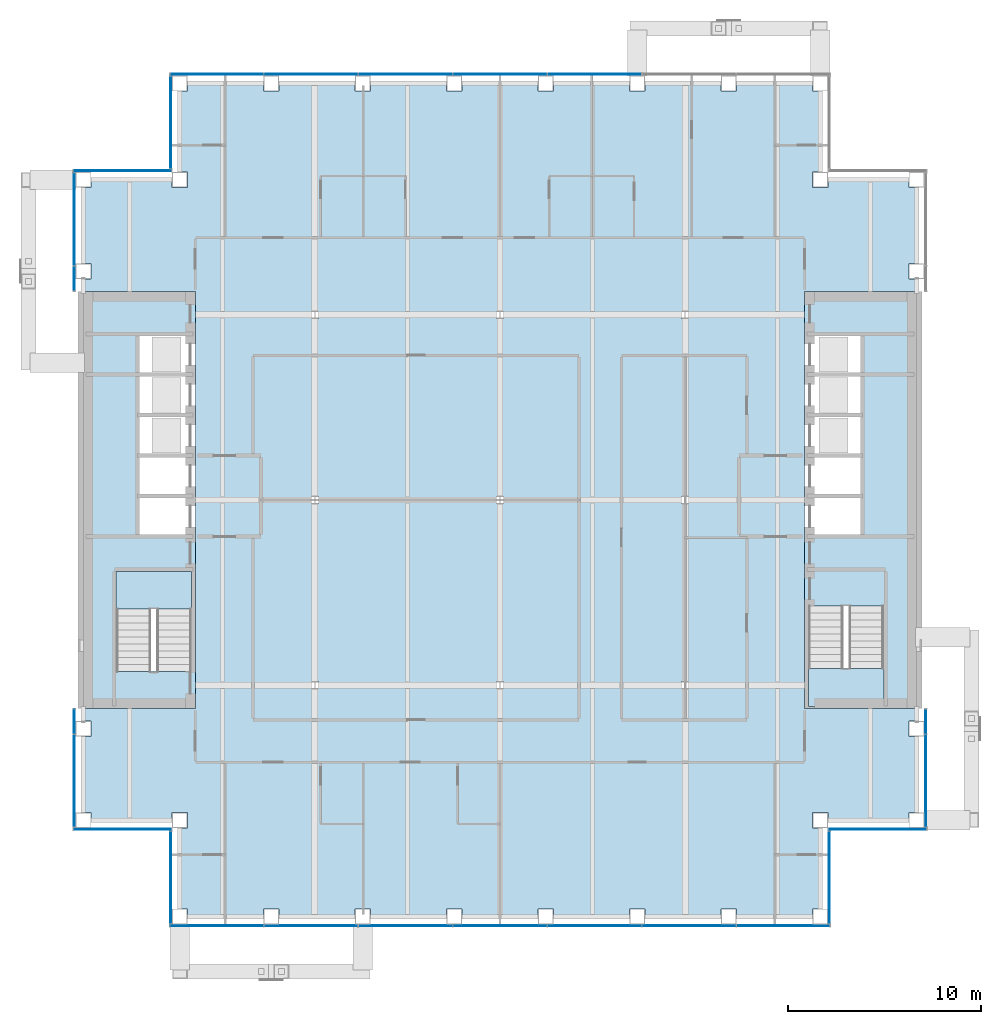
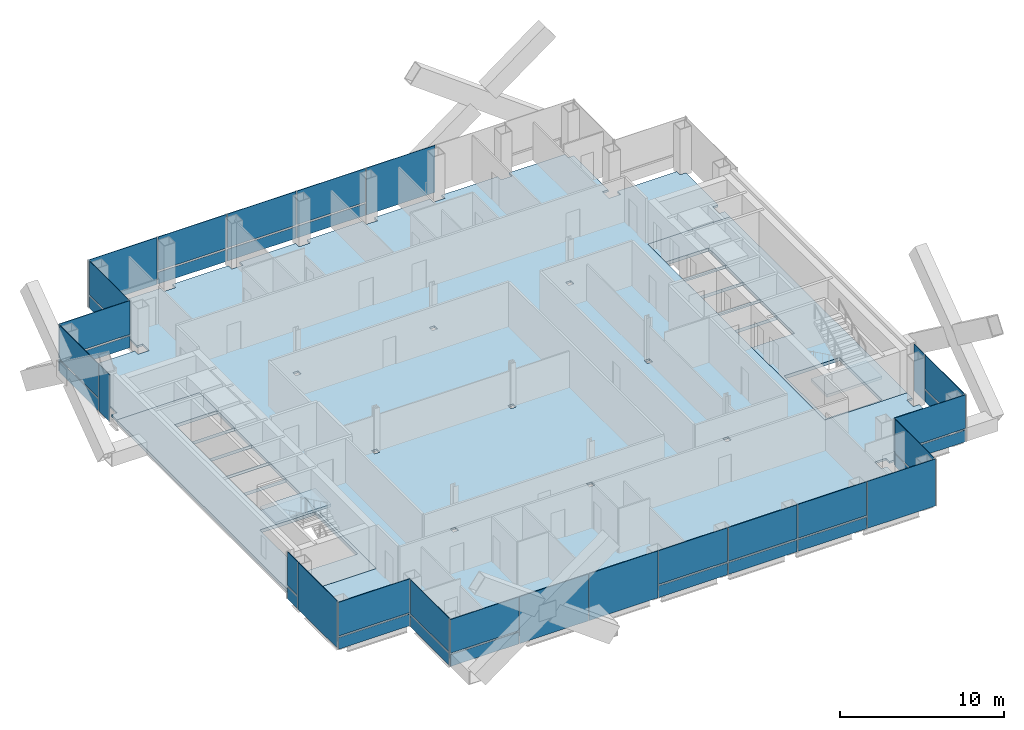
# One storey, part 8 of 14: 40 plates, 5 slabs, 13 elements without a shape of their own.
"""IFC4 building model written with IfcOpenShell, lengths in metres."""

from ifc_helpers import new_model, si_unit, direction, frame, origin, origin_2d, place, context, subcontext, project, spatial, polyline, rectangle, outline, extrude, material, layer, layer_set, type_object, element, aggregate, save


model = new_model("IFC4")

# Units and contexts
model_context = context("Model", 3, precision=1e-05, world=origin(), true_north=direction((0.0, 1.0)))
body_context = subcontext(model_context, "Body", "Model", "MODEL_VIEW")
ifc_project = project(units=[si_unit("LENGTHUNIT", "METRE"), si_unit("AREAUNIT", "SQUARE_METRE"), si_unit("VOLUMEUNIT", "CUBIC_METRE"), si_unit("PLANEANGLEUNIT", "RADIAN"), si_unit("MASSUNIT", "GRAM", prefix="KILO")], contexts=[model_context])

# Site, building, storey
site_placement = place(None, origin())
site = spatial("IfcSite", under=ifc_project, at=site_placement, CompositionType="ELEMENT")
building_placement = place(site_placement, origin())
building = spatial("IfcBuilding", under=site, at=building_placement, Name="Cobrizo Arcos Hotel Tower", CompositionType="ELEMENT")
storey_placement = place(building_placement, frame((0.0, 0.0, 179.5)))
storey = spatial("IfcBuildingStorey", under=building, at=storey_placement, Name="L46", CompositionType="ELEMENT", Elevation=179.5)

# Curtain wall, plates
ifc_material_1 = material(Name="Aluminium 6063-T6 anodised bronze", Category="aluminium")
curtain_wall_type = type_object("IfcCurtainWallType", Name="CW-A guest facade", PredefinedType="NOTDEFINED", material=ifc_material_1)
curtain_wall_1_placement = place(storey_placement, origin())
curtain_wall_1 = element("IfcCurtainWall", 1, at=curtain_wall_1_placement, inside=storey, type_object=curtain_wall_type, Name="CW-A L46 S face", PredefinedType="NOTDEFINED")
ifc_material_2 = material(Name="Glass clear laminated low-e", Category="glass")
ifc_layer_1 = layer(ifc_material_2, 0.0400390625)
ifc_layer_set_1 = layer_set([ifc_layer_1], Name="CW-A glass panel")
plate_type_1 = type_object("IfcPlateType", Name="CW-A glass panel", PredefinedType="CURTAIN_PANEL", material=ifc_layer_set_1)
plate_1_placement = place(storey_placement, frame((-14.68505859375, -22.074951171875, 0.990234375), z_axis=(0.0, 0.0, 1.0), x_axis=(1.0, 0.0, 0.0)))
plate_1 = element("IfcPlate", 2, at=plate_1_placement, type_object=plate_type_1, Name="CW-A glass panel 1606", PredefinedType="CURTAIN_PANEL", context=body_context, shape_type="SweptSolid", body=[
    extrude(rectangle(XDim=4.81005859375, YDim=0.0400390625, at=origin_2d()), origin(), (0.0, 0.0, 1.0), 2.510009765625),
])
plate_2_placement = place(storey_placement, frame((0.0, -22.074951171875, 0.990234375), z_axis=(0.0, 0.0, 1.0), x_axis=(1.0, 0.0, 0.0)))
plate_2 = element("IfcPlate", 3, at=plate_2_placement, type_object=plate_type_1, Name="CW-A glass panel 1609", PredefinedType="CURTAIN_PANEL", context=body_context, shape_type="SweptSolid", body=[
    extrude(rectangle(XDim=4.840087890625, YDim=0.0400390625, at=origin_2d()), origin(), (0.0, 0.0, 1.0), 2.510009765625),
])
plate_3_placement = place(storey_placement, frame((4.89990234375, -22.074951171875, 0.990234375), z_axis=(0.0, 0.0, 1.0), x_axis=(1.0, 0.0, 0.0)))
plate_3 = element("IfcPlate", 4, at=plate_3_placement, type_object=plate_type_1, Name="CW-A glass panel 1610", PredefinedType="CURTAIN_PANEL", context=body_context, shape_type="SweptSolid", body=[
    extrude(rectangle(XDim=4.840087890625, YDim=0.0400390625, at=origin_2d()), origin(), (0.0, 0.0, 1.0), 2.510009765625),
])
plate_4_placement = place(storey_placement, frame((9.800048828125, -22.074951171875, 0.990234375), z_axis=(0.0, 0.0, 1.0), x_axis=(1.0, 0.0, 0.0)))
plate_4 = element("IfcPlate", 5, at=plate_4_placement, type_object=plate_type_1, Name="CW-A glass panel 1611", PredefinedType="CURTAIN_PANEL", context=body_context, shape_type="SweptSolid", body=[
    extrude(rectangle(XDim=4.840087890625, YDim=0.0400390625, at=origin_2d()), origin(), (0.0, 0.0, 1.0), 2.510009765625),
])

# Curtain wall, plate
curtain_wall_2_placement = place(storey_placement, origin())
curtain_wall_2 = element("IfcCurtainWall", 6, at=curtain_wall_2_placement, inside=storey, type_object=curtain_wall_type, Name="CW-A L46 E face", PredefinedType="NOTDEFINED")
plate_5_placement = place(storey_placement, frame((17.074951171875, -19.574951171875, 0.990234375), z_axis=(0.0, 0.0, 1.0), x_axis=(0.0, 1.0, 0.0)))
plate_5 = element("IfcPlate", 7, at=plate_5_placement, type_object=plate_type_1, Name="CW-A glass panel 1613", PredefinedType="CURTAIN_PANEL", context=body_context, shape_type="SweptSolid", body=[
    extrude(rectangle(XDim=4.72998046875, YDim=0.0400390625, at=origin_2d()), origin(), (0.0, 0.0, 1.0), 2.510009765625),
])

curtain_wall_3_placement = place(storey_placement, origin())
curtain_wall_3 = element("IfcCurtainWall", 8, at=curtain_wall_3_placement, inside=storey, type_object=curtain_wall_type, Name="CW-A L46 S face", PredefinedType="NOTDEFINED")
plate_6_placement = place(storey_placement, frame((19.574951171875, -17.074951171875, 0.990234375), z_axis=(0.0, 0.0, 1.0), x_axis=(1.0, 0.0, 0.0)))
plate_6 = element("IfcPlate", 9, at=plate_6_placement, type_object=plate_type_1, Name="CW-A glass panel 1614", PredefinedType="CURTAIN_PANEL", context=body_context, shape_type="SweptSolid", body=[
    extrude(rectangle(XDim=5.030029296875, YDim=0.0400390625, at=origin_2d()), origin(), (0.0, 0.0, 1.0), 2.510009765625),
])

curtain_wall_4_placement = place(storey_placement, origin())
curtain_wall_4 = element("IfcCurtainWall", 10, at=curtain_wall_4_placement, inside=storey, type_object=curtain_wall_type, Name="CW-A L46 E face", PredefinedType="NOTDEFINED")
plate_7_placement = place(storey_placement, frame((22.074951171875, -14.556396484375, 0.990234375), z_axis=(0.0, 0.0, 1.0), x_axis=(0.0, 1.0, 0.0)))
plate_7 = element("IfcPlate", 11, at=plate_7_placement, type_object=plate_type_1, Name="CW-A glass panel 1615", PredefinedType="CURTAIN_PANEL", context=body_context, shape_type="SweptSolid", body=[
    extrude(rectangle(XDim=4.76708984375, YDim=0.0400390625, at=origin_2d()), origin(), (0.0, 0.0, 1.0), 2.510009765625),
])

# Curtain wall, plates
curtain_wall_5_placement = place(storey_placement, origin())
curtain_wall_5 = element("IfcCurtainWall", 12, at=curtain_wall_5_placement, inside=storey, type_object=curtain_wall_type, Name="CW-A L46 N face", PredefinedType="NOTDEFINED")
plate_8_placement = place(storey_placement, frame((0.0, 22.074951171875, 0.990234375), z_axis=(0.0, 0.0, 1.0), x_axis=(-1.0, 0.0, 0.0)))
plate_8 = element("IfcPlate", 13, at=plate_8_placement, type_object=plate_type_1, Name="CW-A glass panel 1624", PredefinedType="CURTAIN_PANEL", context=body_context, shape_type="SweptSolid", body=[
    extrude(rectangle(XDim=4.840087890625, YDim=0.0400390625, at=origin_2d()), origin(), (0.0, 0.0, 1.0), 2.510009765625),
])
plate_9_placement = place(storey_placement, frame((-4.89990234375, 22.074951171875, 0.990234375), z_axis=(0.0, 0.0, 1.0), x_axis=(-1.0, 0.0, 0.0)))
plate_9 = element("IfcPlate", 14, at=plate_9_placement, type_object=plate_type_1, Name="CW-A glass panel 1625", PredefinedType="CURTAIN_PANEL", context=body_context, shape_type="SweptSolid", body=[
    extrude(rectangle(XDim=4.840087890625, YDim=0.0400390625, at=origin_2d()), origin(), (0.0, 0.0, 1.0), 2.510009765625),
])
plate_10_placement = place(storey_placement, frame((-9.800048828125, 22.074951171875, 0.990234375), z_axis=(0.0, 0.0, 1.0), x_axis=(-1.0, 0.0, 0.0)))
plate_10 = element("IfcPlate", 15, at=plate_10_placement, type_object=plate_type_1, Name="CW-A glass panel 1626", PredefinedType="CURTAIN_PANEL", context=body_context, shape_type="SweptSolid", body=[
    extrude(rectangle(XDim=4.840087890625, YDim=0.0400390625, at=origin_2d()), origin(), (0.0, 0.0, 1.0), 2.510009765625),
])

# Curtain wall, plate
curtain_wall_6_placement = place(storey_placement, origin())
curtain_wall_6 = element("IfcCurtainWall", 16, at=curtain_wall_6_placement, inside=storey, type_object=curtain_wall_type, Name="CW-A L46 W face", PredefinedType="NOTDEFINED")
plate_11_placement = place(storey_placement, frame((-17.074951171875, 19.574951171875, 0.990234375), z_axis=(0.0, 0.0, 1.0), x_axis=(0.0, -1.0, 0.0)))
plate_11 = element("IfcPlate", 17, at=plate_11_placement, type_object=plate_type_1, Name="CW-A glass panel 1628", PredefinedType="CURTAIN_PANEL", context=body_context, shape_type="SweptSolid", body=[
    extrude(rectangle(XDim=4.72998046875, YDim=0.0400390625, at=origin_2d()), origin(), (0.0, 0.0, 1.0), 2.510009765625),
])

curtain_wall_7_placement = place(storey_placement, origin())
curtain_wall_7 = element("IfcCurtainWall", 18, at=curtain_wall_7_placement, inside=storey, type_object=curtain_wall_type, Name="CW-A L46 N face", PredefinedType="NOTDEFINED")
plate_12_placement = place(storey_placement, frame((-19.574951171875, 17.074951171875, 0.990234375), z_axis=(0.0, 0.0, 1.0), x_axis=(-1.0, 0.0, 0.0)))
plate_12 = element("IfcPlate", 19, at=plate_12_placement, type_object=plate_type_1, Name="CW-A glass panel 1629", PredefinedType="CURTAIN_PANEL", context=body_context, shape_type="SweptSolid", body=[
    extrude(rectangle(XDim=5.030029296875, YDim=0.0400390625, at=origin_2d()), origin(), (0.0, 0.0, 1.0), 2.510009765625),
])

curtain_wall_8_placement = place(storey_placement, origin())
curtain_wall_8 = element("IfcCurtainWall", 20, at=curtain_wall_8_placement, inside=storey, type_object=curtain_wall_type, Name="CW-A L46 W face", PredefinedType="NOTDEFINED")
plate_13_placement = place(storey_placement, frame((-22.074951171875, 14.556396484375, 0.990234375), z_axis=(0.0, 0.0, 1.0), x_axis=(0.0, -1.0, 0.0)))
plate_13 = element("IfcPlate", 21, at=plate_13_placement, type_object=plate_type_1, Name="CW-A glass panel 1630", PredefinedType="CURTAIN_PANEL", context=body_context, shape_type="SweptSolid", body=[
    extrude(rectangle(XDim=4.76708984375, YDim=0.0400390625, at=origin_2d()), origin(), (0.0, 0.0, 1.0), 2.510009765625),
])

curtain_wall_9_placement = place(storey_placement, origin())
curtain_wall_9 = element("IfcCurtainWall", 22, at=curtain_wall_9_placement, inside=storey, type_object=curtain_wall_type, Name="CW-A L46 W face", PredefinedType="NOTDEFINED")
plate_14_placement = place(storey_placement, frame((-22.074951171875, -11.486328125, 0.990234375), z_axis=(0.0, 0.0, 1.0), x_axis=(0.0, -1.0, 0.0)))
plate_14 = element("IfcPlate", 23, at=plate_14_placement, type_object=plate_type_1, Name="CW-A glass panel 1632", PredefinedType="CURTAIN_PANEL", context=body_context, shape_type="SweptSolid", body=[
    extrude(rectangle(XDim=1.2529296875, YDim=0.0400390625, at=origin_2d()), origin(), (0.0, 0.0, 1.0), 2.510009765625),
])

curtain_wall_10_placement = place(storey_placement, origin())
curtain_wall_10 = element("IfcCurtainWall", 24, at=curtain_wall_10_placement, inside=storey, type_object=curtain_wall_type, Name="CW-A L46 S face", PredefinedType="NOTDEFINED")
plate_15_placement = place(storey_placement, frame((-19.574951171875, -17.074951171875, 0.990234375), z_axis=(0.0, 0.0, 1.0), x_axis=(1.0, 0.0, 0.0)))
plate_15 = element("IfcPlate", 25, at=plate_15_placement, type_object=plate_type_1, Name="CW-A glass panel 1634", PredefinedType="CURTAIN_PANEL", context=body_context, shape_type="SweptSolid", body=[
    extrude(rectangle(XDim=5.030029296875, YDim=0.0400390625, at=origin_2d()), origin(), (0.0, 0.0, 1.0), 2.510009765625),
])

curtain_wall_11_placement = place(storey_placement, origin())
curtain_wall_11 = element("IfcCurtainWall", 26, at=curtain_wall_11_placement, inside=storey, type_object=curtain_wall_type, Name="CW-A L46 W face", PredefinedType="NOTDEFINED")
plate_16_placement = place(storey_placement, frame((-17.074951171875, -19.574951171875, 0.990234375), z_axis=(0.0, 0.0, 1.0), x_axis=(0.0, -1.0, 0.0)))
plate_16 = element("IfcPlate", 27, at=plate_16_placement, type_object=plate_type_1, Name="CW-A glass panel 1635", PredefinedType="CURTAIN_PANEL", context=body_context, shape_type="SweptSolid", body=[
    extrude(rectangle(XDim=4.72998046875, YDim=0.0400390625, at=origin_2d()), origin(), (0.0, 0.0, 1.0), 2.510009765625),
])

# Plate
ifc_material_3 = material(Name="Aluminium composite panel pale metal", Category="aluminium")
ifc_layer_2 = layer(ifc_material_3, 0.0400390625)
ifc_layer_set_2 = layer_set([ifc_layer_2], Name="CW-A spandrel panel")
plate_type_2 = type_object("IfcPlateType", Name="CW-A spandrel panel", PredefinedType="CURTAIN_PANEL", material=ifc_layer_set_2)
plate_17_placement = place(storey_placement, frame((-14.68505859375, -22.074951171875, 0.0), z_axis=(0.0, 0.0, 1.0), x_axis=(1.0, 0.0, 0.0)))
plate_17 = element("IfcPlate", 28, at=plate_17_placement, type_object=plate_type_2, Name="CW-A spandrel panel 1606", PredefinedType="CURTAIN_PANEL", context=body_context, shape_type="SweptSolid", body=[
    extrude(rectangle(XDim=4.81005859375, YDim=0.0400390625, at=origin_2d()), origin(), (0.0, 0.0, 1.0), 0.8701171875),
])

plate_18_placement = place(storey_placement, frame((-9.800048828125, -22.074951171875, 0.0), z_axis=(0.0, 0.0, 1.0), x_axis=(1.0, 0.0, 0.0)))
plate_18 = element("IfcPlate", 29, at=plate_18_placement, type_object=plate_type_2, Name="CW-A spandrel panel 1607", PredefinedType="CURTAIN_PANEL", context=body_context, shape_type="SweptSolid", body=[
    extrude(rectangle(XDim=4.840087890625, YDim=0.0400390625, at=origin_2d()), origin(), (0.0, 0.0, 1.0), 3.5),
])

plate_19_placement = place(storey_placement, frame((-4.89990234375, -22.074951171875, 0.0), z_axis=(0.0, 0.0, 1.0), x_axis=(1.0, 0.0, 0.0)))
plate_19 = element("IfcPlate", 30, at=plate_19_placement, type_object=plate_type_2, Name="CW-A spandrel panel 1608", PredefinedType="CURTAIN_PANEL", context=body_context, shape_type="SweptSolid", body=[
    extrude(rectangle(XDim=4.840087890625, YDim=0.0400390625, at=origin_2d()), origin(), (0.0, 0.0, 1.0), 3.5),
])

plate_20_placement = place(storey_placement, frame((0.0, -22.074951171875, 0.0), z_axis=(0.0, 0.0, 1.0), x_axis=(1.0, 0.0, 0.0)))
plate_20 = element("IfcPlate", 31, at=plate_20_placement, type_object=plate_type_2, Name="CW-A spandrel panel 1609", PredefinedType="CURTAIN_PANEL", context=body_context, shape_type="SweptSolid", body=[
    extrude(rectangle(XDim=4.840087890625, YDim=0.0400390625, at=origin_2d()), origin(), (0.0, 0.0, 1.0), 0.8701171875),
])

plate_21_placement = place(storey_placement, frame((4.89990234375, -22.074951171875, 0.0), z_axis=(0.0, 0.0, 1.0), x_axis=(1.0, 0.0, 0.0)))
plate_21 = element("IfcPlate", 32, at=plate_21_placement, type_object=plate_type_2, Name="CW-A spandrel panel 1610", PredefinedType="CURTAIN_PANEL", context=body_context, shape_type="SweptSolid", body=[
    extrude(rectangle(XDim=4.840087890625, YDim=0.0400390625, at=origin_2d()), origin(), (0.0, 0.0, 1.0), 0.8701171875),
])

plate_22_placement = place(storey_placement, frame((9.800048828125, -22.074951171875, 0.0), z_axis=(0.0, 0.0, 1.0), x_axis=(1.0, 0.0, 0.0)))
plate_22 = element("IfcPlate", 33, at=plate_22_placement, type_object=plate_type_2, Name="CW-A spandrel panel 1611", PredefinedType="CURTAIN_PANEL", context=body_context, shape_type="SweptSolid", body=[
    extrude(rectangle(XDim=4.840087890625, YDim=0.0400390625, at=origin_2d()), origin(), (0.0, 0.0, 1.0), 0.8701171875),
])

plate_23_placement = place(storey_placement, frame((14.68505859375, -22.074951171875, 0.0), z_axis=(0.0, 0.0, 1.0), x_axis=(1.0, 0.0, 0.0)))
plate_23 = element("IfcPlate", 34, at=plate_23_placement, type_object=plate_type_2, Name="CW-A spandrel panel 1612", PredefinedType="CURTAIN_PANEL", context=body_context, shape_type="SweptSolid", body=[
    extrude(rectangle(XDim=4.81005859375, YDim=0.0400390625, at=origin_2d()), origin(), (0.0, 0.0, 1.0), 3.5),
])

aggregate(curtain_wall_1, [plate_17, plate_1, plate_18, plate_19, plate_20, plate_2, plate_21, plate_3, plate_22, plate_4, plate_23])

plate_24_placement = place(storey_placement, frame((17.074951171875, -19.574951171875, 0.0), z_axis=(0.0, 0.0, 1.0), x_axis=(0.0, 1.0, 0.0)))
plate_24 = element("IfcPlate", 35, at=plate_24_placement, type_object=plate_type_2, Name="CW-A spandrel panel 1613", PredefinedType="CURTAIN_PANEL", context=body_context, shape_type="SweptSolid", body=[
    extrude(rectangle(XDim=4.72998046875, YDim=0.0400390625, at=origin_2d()), origin(), (0.0, 0.0, 1.0), 0.8701171875),
])

aggregate(curtain_wall_2, [plate_24, plate_5])

plate_25_placement = place(storey_placement, frame((19.574951171875, -17.074951171875, 0.0), z_axis=(0.0, 0.0, 1.0), x_axis=(1.0, 0.0, 0.0)))
plate_25 = element("IfcPlate", 36, at=plate_25_placement, type_object=plate_type_2, Name="CW-A spandrel panel 1614", PredefinedType="CURTAIN_PANEL", context=body_context, shape_type="SweptSolid", body=[
    extrude(rectangle(XDim=5.030029296875, YDim=0.0400390625, at=origin_2d()), origin(), (0.0, 0.0, 1.0), 0.8701171875),
])

aggregate(curtain_wall_3, [plate_25, plate_6])

plate_26_placement = place(storey_placement, frame((22.074951171875, -14.556396484375, 0.0), z_axis=(0.0, 0.0, 1.0), x_axis=(0.0, 1.0, 0.0)))
plate_26 = element("IfcPlate", 37, at=plate_26_placement, type_object=plate_type_2, Name="CW-A spandrel panel 1615", PredefinedType="CURTAIN_PANEL", context=body_context, shape_type="SweptSolid", body=[
    extrude(rectangle(XDim=4.76708984375, YDim=0.0400390625, at=origin_2d()), origin(), (0.0, 0.0, 1.0), 0.8701171875),
])

plate_27_placement = place(storey_placement, frame((22.074951171875, -11.486328125, 0.0), z_axis=(0.0, 0.0, 1.0), x_axis=(0.0, 1.0, 0.0)))
plate_27 = element("IfcPlate", 38, at=plate_27_placement, type_object=plate_type_2, Name="CW-A spandrel panel 1616", PredefinedType="CURTAIN_PANEL", context=body_context, shape_type="SweptSolid", body=[
    extrude(rectangle(XDim=1.2529296875, YDim=0.0400390625, at=origin_2d()), origin(), (0.0, 0.0, 1.0), 3.5),
])

aggregate(curtain_wall_4, [plate_26, plate_7, plate_27])

plate_28_placement = place(storey_placement, frame((4.89990234375, 22.074951171875, 0.0), z_axis=(0.0, 0.0, 1.0), x_axis=(-1.0, 0.0, 0.0)))
plate_28 = element("IfcPlate", 39, at=plate_28_placement, type_object=plate_type_2, Name="CW-A spandrel panel 1623", PredefinedType="CURTAIN_PANEL", context=body_context, shape_type="SweptSolid", body=[
    extrude(rectangle(XDim=4.840087890625, YDim=0.0400390625, at=origin_2d()), origin(), (0.0, 0.0, 1.0), 3.5),
])

plate_29_placement = place(storey_placement, frame((0.0, 22.074951171875, 0.0), z_axis=(0.0, 0.0, 1.0), x_axis=(-1.0, 0.0, 0.0)))
plate_29 = element("IfcPlate", 40, at=plate_29_placement, type_object=plate_type_2, Name="CW-A spandrel panel 1624", PredefinedType="CURTAIN_PANEL", context=body_context, shape_type="SweptSolid", body=[
    extrude(rectangle(XDim=4.840087890625, YDim=0.0400390625, at=origin_2d()), origin(), (0.0, 0.0, 1.0), 0.8701171875),
])

plate_30_placement = place(storey_placement, frame((-4.89990234375, 22.074951171875, 0.0), z_axis=(0.0, 0.0, 1.0), x_axis=(-1.0, 0.0, 0.0)))
plate_30 = element("IfcPlate", 41, at=plate_30_placement, type_object=plate_type_2, Name="CW-A spandrel panel 1625", PredefinedType="CURTAIN_PANEL", context=body_context, shape_type="SweptSolid", body=[
    extrude(rectangle(XDim=4.840087890625, YDim=0.0400390625, at=origin_2d()), origin(), (0.0, 0.0, 1.0), 0.8701171875),
])

plate_31_placement = place(storey_placement, frame((-9.800048828125, 22.074951171875, 0.0), z_axis=(0.0, 0.0, 1.0), x_axis=(-1.0, 0.0, 0.0)))
plate_31 = element("IfcPlate", 42, at=plate_31_placement, type_object=plate_type_2, Name="CW-A spandrel panel 1626", PredefinedType="CURTAIN_PANEL", context=body_context, shape_type="SweptSolid", body=[
    extrude(rectangle(XDim=4.840087890625, YDim=0.0400390625, at=origin_2d()), origin(), (0.0, 0.0, 1.0), 0.8701171875),
])

plate_32_placement = place(storey_placement, frame((-14.68505859375, 22.074951171875, 0.0), z_axis=(0.0, 0.0, 1.0), x_axis=(-1.0, 0.0, 0.0)))
plate_32 = element("IfcPlate", 43, at=plate_32_placement, type_object=plate_type_2, Name="CW-A spandrel panel 1627", PredefinedType="CURTAIN_PANEL", context=body_context, shape_type="SweptSolid", body=[
    extrude(rectangle(XDim=4.81005859375, YDim=0.0400390625, at=origin_2d()), origin(), (0.0, 0.0, 1.0), 3.5),
])

aggregate(curtain_wall_5, [plate_28, plate_29, plate_8, plate_30, plate_9, plate_31, plate_10, plate_32])

plate_33_placement = place(storey_placement, frame((-17.074951171875, 19.574951171875, 0.0), z_axis=(0.0, 0.0, 1.0), x_axis=(0.0, -1.0, 0.0)))
plate_33 = element("IfcPlate", 44, at=plate_33_placement, type_object=plate_type_2, Name="CW-A spandrel panel 1628", PredefinedType="CURTAIN_PANEL", context=body_context, shape_type="SweptSolid", body=[
    extrude(rectangle(XDim=4.72998046875, YDim=0.0400390625, at=origin_2d()), origin(), (0.0, 0.0, 1.0), 0.8701171875),
])

aggregate(curtain_wall_6, [plate_33, plate_11])

plate_34_placement = place(storey_placement, frame((-19.574951171875, 17.074951171875, 0.0), z_axis=(0.0, 0.0, 1.0), x_axis=(-1.0, 0.0, 0.0)))
plate_34 = element("IfcPlate", 45, at=plate_34_placement, type_object=plate_type_2, Name="CW-A spandrel panel 1629", PredefinedType="CURTAIN_PANEL", context=body_context, shape_type="SweptSolid", body=[
    extrude(rectangle(XDim=5.030029296875, YDim=0.0400390625, at=origin_2d()), origin(), (0.0, 0.0, 1.0), 0.8701171875),
])

aggregate(curtain_wall_7, [plate_34, plate_12])

plate_35_placement = place(storey_placement, frame((-22.074951171875, 14.556396484375, 0.0), z_axis=(0.0, 0.0, 1.0), x_axis=(0.0, -1.0, 0.0)))
plate_35 = element("IfcPlate", 46, at=plate_35_placement, type_object=plate_type_2, Name="CW-A spandrel panel 1630", PredefinedType="CURTAIN_PANEL", context=body_context, shape_type="SweptSolid", body=[
    extrude(rectangle(XDim=4.76708984375, YDim=0.0400390625, at=origin_2d()), origin(), (0.0, 0.0, 1.0), 0.8701171875),
])

plate_36_placement = place(storey_placement, frame((-22.074951171875, 11.486328125, 0.0), z_axis=(0.0, 0.0, 1.0), x_axis=(0.0, -1.0, 0.0)))
plate_36 = element("IfcPlate", 47, at=plate_36_placement, type_object=plate_type_2, Name="CW-A spandrel panel 1631", PredefinedType="CURTAIN_PANEL", context=body_context, shape_type="SweptSolid", body=[
    extrude(rectangle(XDim=1.2529296875, YDim=0.0400390625, at=origin_2d()), origin(), (0.0, 0.0, 1.0), 3.5),
])

aggregate(curtain_wall_8, [plate_35, plate_13, plate_36])

plate_37_placement = place(storey_placement, frame((-22.074951171875, -11.486328125, 0.0), z_axis=(0.0, 0.0, 1.0), x_axis=(0.0, -1.0, 0.0)))
plate_37 = element("IfcPlate", 48, at=plate_37_placement, type_object=plate_type_2, Name="CW-A spandrel panel 1632", PredefinedType="CURTAIN_PANEL", context=body_context, shape_type="SweptSolid", body=[
    extrude(rectangle(XDim=1.2529296875, YDim=0.0400390625, at=origin_2d()), origin(), (0.0, 0.0, 1.0), 0.8701171875),
])

plate_38_placement = place(storey_placement, frame((-22.074951171875, -14.556396484375, 0.0), z_axis=(0.0, 0.0, 1.0), x_axis=(0.0, -1.0, 0.0)))
plate_38 = element("IfcPlate", 49, at=plate_38_placement, type_object=plate_type_2, Name="CW-A spandrel panel 1633", PredefinedType="CURTAIN_PANEL", context=body_context, shape_type="SweptSolid", body=[
    extrude(rectangle(XDim=4.76708984375, YDim=0.0400390625, at=origin_2d()), origin(), (0.0, 0.0, 1.0), 3.5),
])

aggregate(curtain_wall_9, [plate_37, plate_14, plate_38])

plate_39_placement = place(storey_placement, frame((-19.574951171875, -17.074951171875, 0.0), z_axis=(0.0, 0.0, 1.0), x_axis=(1.0, 0.0, 0.0)))
plate_39 = element("IfcPlate", 50, at=plate_39_placement, type_object=plate_type_2, Name="CW-A spandrel panel 1634", PredefinedType="CURTAIN_PANEL", context=body_context, shape_type="SweptSolid", body=[
    extrude(rectangle(XDim=5.030029296875, YDim=0.0400390625, at=origin_2d()), origin(), (0.0, 0.0, 1.0), 0.8701171875),
])

aggregate(curtain_wall_10, [plate_39, plate_15])

plate_40_placement = place(storey_placement, frame((-17.074951171875, -19.574951171875, 0.0), z_axis=(0.0, 0.0, 1.0), x_axis=(0.0, -1.0, 0.0)))
plate_40 = element("IfcPlate", 51, at=plate_40_placement, type_object=plate_type_2, Name="CW-A spandrel panel 1635", PredefinedType="CURTAIN_PANEL", context=body_context, shape_type="SweptSolid", body=[
    extrude(rectangle(XDim=4.72998046875, YDim=0.0400390625, at=origin_2d()), origin(), (0.0, 0.0, 1.0), 0.8701171875),
])

aggregate(curtain_wall_11, [plate_40, plate_16])

# Slabs
ifc_material_4 = material(Name="Concrete f'c 35 MPa", Category="concrete")
ifc_layer_3 = layer(ifc_material_4, 0.14990234375)
ifc_layer_set_3 = layer_set([ifc_layer_3], Name="Composite floor slab 150 f'c 35")
slab_type_1 = type_object("IfcSlabType", Name="Composite floor slab 150 f'c 35", PredefinedType="FLOOR", material=ifc_layer_set_3)
slab_1_placement = place(storey_placement, frame((0.0, 0.0, -0.14990234375)))
element("IfcSlab", 52, at=slab_1_placement, inside=storey, type_object=slab_type_1, Name="Floor slab S5, L46, no. 01", PredefinedType="FLOOR", context=body_context, shape_type="SweptSolid", body=[
    extrude(outline(polyline([(-16.199951171875, -21.60009765625), (-16.199951171875, -21.199951171875), (-16.60009765625, -21.199951171875), (-16.60009765625, -17.0), (-16.199951171875, -17.0), (-16.199951171875, -16.199951171875), (-17.0, -16.199951171875), (-17.0, -16.60009765625), (-21.199951171875, -16.60009765625), (-21.199951171875, -16.199951171875), (-21.60009765625, -16.199951171875), (-21.60009765625, -12.257080078125), (-21.199951171875, -12.257080078125), (-21.199951171875, -11.45703125), (-21.60009765625, -11.45703125), (-21.60009765625, -10.800048828125), (-15.800048828125, -10.800048828125), (-15.800048828125, 10.800048828125), (-21.60009765625, 10.800048828125), (-21.60009765625, 11.45703125), (-21.199951171875, 11.45703125), (-21.199951171875, 12.257080078125), (-21.60009765625, 12.257080078125), (-21.60009765625, 16.199951171875), (-21.199951171875, 16.199951171875), (-21.199951171875, 16.60009765625), (-17.0, 16.60009765625), (-17.0, 16.199951171875), (-16.199951171875, 16.199951171875), (-16.199951171875, 17.0), (-16.60009765625, 17.0), (-16.60009765625, 21.199951171875), (-16.199951171875, 21.199951171875), (-16.199951171875, 21.60009765625), (-12.257080078125, 21.60009765625), (-12.257080078125, 21.199951171875), (-11.45703125, 21.199951171875), (-11.45703125, 21.60009765625), (-7.513916015625, 21.60009765625), (-7.513916015625, 21.199951171875), (-6.714111328125, 21.199951171875), (-6.714111328125, 21.60009765625), (-2.77099609375, 21.60009765625), (-2.77099609375, 21.199951171875), (-1.970947265625, 21.199951171875), (-1.970947265625, 21.60009765625), (1.970947265625, 21.60009765625), (1.970947265625, 21.199951171875), (2.77099609375, 21.199951171875), (2.77099609375, 21.60009765625), (6.714111328125, 21.60009765625), (6.714111328125, 21.199951171875), (7.513916015625, 21.199951171875), (7.513916015625, 21.60009765625), (11.45703125, 21.60009765625), (11.45703125, 21.199951171875), (12.257080078125, 21.199951171875), (12.257080078125, 21.60009765625), (16.199951171875, 21.60009765625), (16.199951171875, 21.199951171875), (16.60009765625, 21.199951171875), (16.60009765625, 17.0), (16.199951171875, 17.0), (16.199951171875, 16.199951171875), (17.0, 16.199951171875), (17.0, 16.60009765625), (21.199951171875, 16.60009765625), (21.199951171875, 16.199951171875), (21.60009765625, 16.199951171875), (21.60009765625, 12.257080078125), (21.199951171875, 12.257080078125), (21.199951171875, 11.45703125), (21.60009765625, 11.45703125), (21.60009765625, 10.800048828125), (15.800048828125, 10.800048828125), (15.800048828125, -10.800048828125), (21.60009765625, -10.800048828125), (21.60009765625, -11.45703125), (21.199951171875, -11.45703125), (21.199951171875, -12.257080078125), (21.60009765625, -12.257080078125), (21.60009765625, -16.199951171875), (21.199951171875, -16.199951171875), (21.199951171875, -16.60009765625), (17.0, -16.60009765625), (17.0, -16.199951171875), (16.199951171875, -16.199951171875), (16.199951171875, -17.0), (16.60009765625, -17.0), (16.60009765625, -21.199951171875), (16.199951171875, -21.199951171875), (16.199951171875, -21.60009765625), (12.257080078125, -21.60009765625), (12.257080078125, -21.199951171875), (11.45703125, -21.199951171875), (11.45703125, -21.60009765625), (7.513916015625, -21.60009765625), (7.513916015625, -21.199951171875), (6.714111328125, -21.199951171875), (6.714111328125, -21.60009765625), (2.77099609375, -21.60009765625), (2.77099609375, -21.199951171875), (1.970947265625, -21.199951171875), (1.970947265625, -21.60009765625), (-1.970947265625, -21.60009765625), (-1.970947265625, -21.199951171875), (-2.77099609375, -21.199951171875), (-2.77099609375, -21.60009765625), (-6.714111328125, -21.60009765625), (-6.714111328125, -21.199951171875), (-7.513916015625, -21.199951171875), (-7.513916015625, -21.60009765625), (-11.45703125, -21.60009765625), (-11.45703125, -21.199951171875), (-12.257080078125, -21.199951171875), (-12.257080078125, -21.60009765625), (-16.199951171875, -21.60009765625)]), holes=[polyline([(-0.186767578125, -9.78662109375), (0.186767578125, -9.78662109375), (0.186767578125, -9.413330078125), (-0.186767578125, -9.413330078125), (-0.186767578125, -9.78662109375)]), polyline([(-9.78662109375, -9.78662109375), (-9.413330078125, -9.78662109375), (-9.413330078125, -9.413330078125), (-9.78662109375, -9.413330078125), (-9.78662109375, -9.78662109375)]), polyline([(-9.413330078125, -0.186767578125), (-9.413330078125, 0.186767578125), (-9.78662109375, 0.186767578125), (-9.78662109375, -0.186767578125), (-9.413330078125, -0.186767578125)]), polyline([(0.186767578125, -0.186767578125), (0.186767578125, 0.186767578125), (-0.186767578125, 0.186767578125), (-0.186767578125, -0.186767578125), (0.186767578125, -0.186767578125)]), polyline([(-9.78662109375, 9.413330078125), (-9.413330078125, 9.413330078125), (-9.413330078125, 9.78662109375), (-9.78662109375, 9.78662109375), (-9.78662109375, 9.413330078125)]), polyline([(9.413330078125, -9.78662109375), (9.78662109375, -9.78662109375), (9.78662109375, -9.413330078125), (9.413330078125, -9.413330078125), (9.413330078125, -9.78662109375)]), polyline([(9.413330078125, -0.186767578125), (9.78662109375, -0.186767578125), (9.78662109375, 0.186767578125), (9.413330078125, 0.186767578125), (9.413330078125, -0.186767578125)]), polyline([(9.78662109375, 9.413330078125), (9.78662109375, 9.78662109375), (9.413330078125, 9.78662109375), (9.413330078125, 9.413330078125), (9.78662109375, 9.413330078125)]), polyline([(0.186767578125, 9.413330078125), (0.186767578125, 9.78662109375), (-0.186767578125, 9.78662109375), (-0.186767578125, 9.413330078125), (0.186767578125, 9.413330078125)])]), origin(), (0.0, 0.0, 1.0), 0.14990234375),
])
ifc_material_5 = material(Name="Concrete f'c 50 MPa", Category="concrete")
ifc_layer_4 = layer(ifc_material_5, 0.25)
ifc_layer_set_4 = layer_set([ifc_layer_4], Name="RC core floor slab 250 f'c 50")
slab_type_2 = type_object("IfcSlabType", Name="RC core floor slab 250 f'c 50", PredefinedType="FLOOR", material=ifc_layer_set_4)
slab_2_placement = place(storey_placement, frame((0.0, 0.0, -0.25)))
element("IfcSlab", 53, at=slab_2_placement, inside=storey, type_object=slab_type_2, Name="Core floor slab CS5, east core, L46", PredefinedType="FLOOR", context=body_context, shape_type="SweptSolid", body=[
    extrude(outline(polyline([(15.800048828125, 10.800048828125), (21.60009765625, 10.800048828125), (21.60009765625, -10.800048828125), (15.800048828125, -10.800048828125), (15.800048828125, 10.800048828125)]), holes=[polyline([(19.89794921875, -10.697998046875), (19.89794921875, -5.501953125), (16.001953125, -5.501953125), (16.001953125, -10.697998046875), (19.89794921875, -10.697998046875)]), polyline([(15.802001953125, 0.197998046875), (15.802001953125, -1.89794921875), (18.798095703125, -1.89794921875), (18.798095703125, 0.197998046875), (15.802001953125, 0.197998046875)]), polyline([(15.802001953125, 2.298095703125), (15.802001953125, 0.201904296875), (18.798095703125, 0.201904296875), (18.798095703125, 2.298095703125), (15.802001953125, 2.298095703125)]), polyline([(15.802001953125, 4.39794921875), (15.802001953125, 2.302001953125), (18.798095703125, 2.302001953125), (18.798095703125, 4.39794921875), (15.802001953125, 4.39794921875)]), polyline([(18.798095703125, 6.498046875), (15.802001953125, 6.498046875), (15.802001953125, 4.402099609375), (18.798095703125, 4.402099609375), (18.798095703125, 6.498046875)]), polyline([(18.798095703125, 8.597900390625), (15.802001953125, 8.597900390625), (15.802001953125, 6.501953125), (18.798095703125, 6.501953125), (18.798095703125, 8.597900390625)])]), origin(), (0.0, 0.0, 1.0), 0.25),
])
slab_3_placement = place(storey_placement, frame((0.0, 0.0, -0.25)))
element("IfcSlab", 54, at=slab_3_placement, inside=storey, type_object=slab_type_2, Name="Core floor slab CS5, west core, L46", PredefinedType="FLOOR", context=body_context, shape_type="SweptSolid", body=[
    extrude(outline(polyline([(-21.60009765625, 10.800048828125), (-15.800048828125, 10.800048828125), (-15.800048828125, -10.800048828125), (-21.60009765625, -10.800048828125), (-21.60009765625, 10.800048828125)]), holes=[polyline([(-19.89794921875, -3.701904296875), (-19.89794921875, -8.89794921875), (-16.001953125, -8.89794921875), (-16.001953125, -3.701904296875), (-19.89794921875, -3.701904296875)]), polyline([(-18.798095703125, 0.197998046875), (-18.798095703125, -1.89794921875), (-15.802001953125, -1.89794921875), (-15.802001953125, 0.197998046875), (-18.798095703125, 0.197998046875)]), polyline([(-18.798095703125, 2.298095703125), (-18.798095703125, 0.201904296875), (-15.802001953125, 0.201904296875), (-15.802001953125, 2.298095703125), (-18.798095703125, 2.298095703125)]), polyline([(-18.798095703125, 4.39794921875), (-18.798095703125, 2.302001953125), (-15.802001953125, 2.302001953125), (-15.802001953125, 4.39794921875), (-18.798095703125, 4.39794921875)]), polyline([(-15.802001953125, 6.498046875), (-18.798095703125, 6.498046875), (-18.798095703125, 4.402099609375), (-15.802001953125, 4.402099609375), (-15.802001953125, 6.498046875)]), polyline([(-15.802001953125, 8.597900390625), (-18.798095703125, 8.597900390625), (-18.798095703125, 6.501953125), (-15.802001953125, 6.501953125), (-15.802001953125, 8.597900390625)])]), origin(), (0.0, 0.0, 1.0), 0.25),
])

# Stair, slab
ifc_material_6 = material(Name="Concrete f'c 40 MPa", Category="concrete")
stair_type = type_object("IfcStairType", Name="Exit stair", PredefinedType="HALF_TURN_STAIR", material=ifc_material_6)
stair_1_placement = place(storey_placement, origin())
stair_1 = element("IfcStair", 55, at=stair_1_placement, inside=storey, type_object=stair_type, Name="L46 Exit stair ST-W", PredefinedType="HALF_TURN_STAIR")
ifc_layer_5 = layer(ifc_material_6, 0.199951171875)
ifc_layer_set_5 = layer_set([ifc_layer_5], Name="Stair landing")
slab_type_3 = type_object("IfcSlabType", Name="Stair landing", PredefinedType="LANDING", material=ifc_layer_set_5)
slab_4_placement = place(storey_placement, frame((0.0, 0.0, 1.550048828125)))
slab_4 = element("IfcSlab", 56, at=slab_4_placement, type_object=slab_type_3, Name="ST-W landing 1", PredefinedType="LANDING", context=body_context, shape_type="SweptSolid", body=[
    extrude(outline(polyline([(-16.0, -5.659912109375), (-16.0, -3.699951171875), (-19.89990234375, -3.699951171875), (-19.89990234375, -5.659912109375), (-16.0, -5.659912109375)])), origin(), (0.0, 0.0, 1.0), 0.199951171875),
])
aggregate(stair_1, [slab_4])

stair_2_placement = place(storey_placement, origin())
stair_2 = element("IfcStair", 57, at=stair_2_placement, inside=storey, type_object=stair_type, Name="L46 Exit stair ST-E", PredefinedType="HALF_TURN_STAIR")
slab_5_placement = place(storey_placement, frame((0.0, 0.0, 1.550048828125)))
slab_5 = element("IfcSlab", 58, at=slab_5_placement, type_object=slab_type_3, Name="ST-E landing 1", PredefinedType="LANDING", context=body_context, shape_type="SweptSolid", body=[
    extrude(outline(polyline([(16.0, -8.739990234375), (16.0, -10.699951171875), (19.89990234375, -10.699951171875), (19.89990234375, -8.739990234375), (16.0, -8.739990234375)])), origin(), (0.0, 0.0, 1.0), 0.199951171875),
])
aggregate(stair_2, [slab_5])

save(model, "model.ifc")
